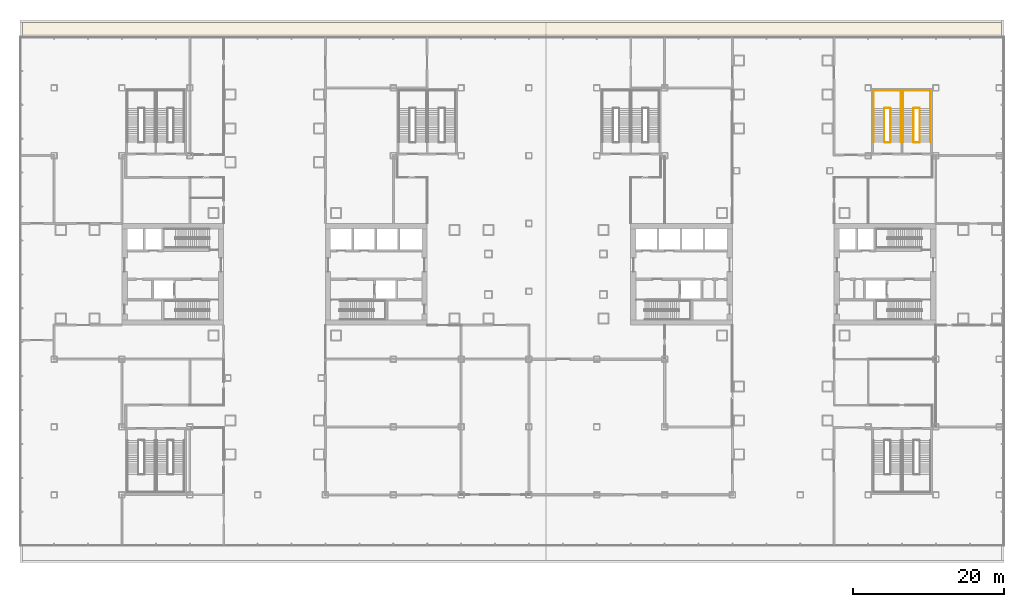
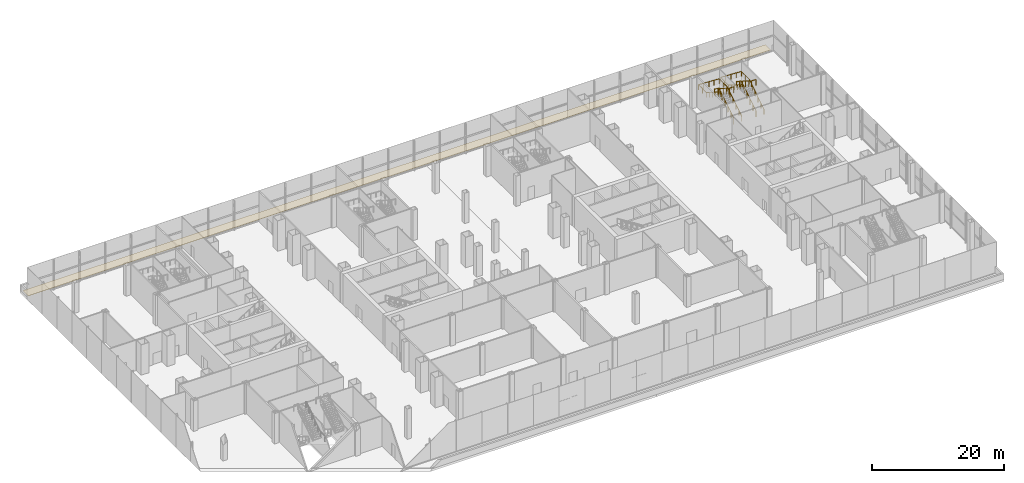
# One storey, part 38 of 38: 4 railings, 1 covering.
"""IFC4 building model written with IfcOpenShell, lengths in metres."""

from ifc_helpers import new_model, si_unit, direction, frame, origin, origin_2d, place, context, subcontext, project, spatial, polyline, circle, outline, extrude, material, layer, layer_set, type_object, element, save


model = new_model("IFC4")

# Units and contexts
model_context = context("Model", 3, precision=1e-05, world=origin(), true_north=direction((0.0, 1.0)))
body_context = subcontext(model_context, "Body", "Model", "MODEL_VIEW")
ifc_project = project(units=[si_unit("LENGTHUNIT", "METRE"), si_unit("AREAUNIT", "SQUARE_METRE"), si_unit("VOLUMEUNIT", "CUBIC_METRE"), si_unit("PLANEANGLEUNIT", "RADIAN"), si_unit("MASSUNIT", "GRAM", prefix="KILO")], contexts=[model_context])

# Site, building, storey
site_placement = place(None, origin())
site = spatial("IfcSite", under=ifc_project, at=site_placement, CompositionType="ELEMENT")
building_placement = place(site_placement, origin())
building = spatial("IfcBuilding", under=site, at=building_placement, Name="Shamsa Quay Exchange Towers", CompositionType="ELEMENT")
storey_placement = place(building_placement, frame((0.0, 0.0, 12.5)))
storey = spatial("IfcBuildingStorey", under=building, at=storey_placement, Name="L02", CompositionType="ELEMENT", Elevation=12.5)

# Covering
ifc_material_1 = material(Name="Bituminous waterproofing membrane with ballast")
ifc_layer = layer(ifc_material_1, 0.06005859375)
ifc_layer_set = layer_set([ifc_layer], Name="ROOF MEMBRANE 60")
covering_type = type_object("IfcCoveringType", Name="ROOF MEMBRANE 60", PredefinedType="ROOFING", material=ifc_layer_set)
covering_placement = place(storey_placement, origin())
element("IfcCovering", 1, at=covering_placement, inside=storey, type_object=covering_type, Name="Roof membrane 2.1", PredefinedType="ROOFING", context=body_context, shape_type="SweptSolid", body=[
    extrude(outline(polyline([(-67.179931640625, 33.429931640625), (62.679931640625, 33.429931640625), (62.679931640625, 31.820068359375), (-67.179931640625, 31.820068359375), (-67.179931640625, 33.429931640625)])), origin(), (0.0, 0.0, 1.0), 0.06005859375),
])

# Railings
ifc_material_2 = material(Name="Stainless steel", Category="steel")
railing_type_1 = type_object("IfcRailingType", Name="STAIR GUARD 1100", PredefinedType="GUARDRAIL", material=ifc_material_2)
railing_1_placement = place(storey_placement, frame((47.97509765625, 17.550048828125, 0.176513671875)))
element("IfcRailing", 2, at=railing_1_placement, inside=storey, type_object=railing_type_1, Name="L02 PS4A stair guard 1", PredefinedType="GUARDRAIL", context=body_context, shape_type="SweptSolid", body=[
    extrude(circle(Radius=0.02392578125, at=origin_2d()), frame((0.0, 0.0, 1.076171875), z_axis=(0.0, 0.845997938375, 0.533186166611), x_axis=(-1.0, 0.0, 0.0)), (0.0, 0.0, 1.0), 5.29541015625),
    extrude(circle(Radius=0.02392578125, at=origin_2d()), frame((0.0, 4.47998046875, 3.8994140625), z_axis=(-0.707106781187, 0.707106781187, 0.0), x_axis=(-0.707106781187, -0.707106781187, 0.0)), (0.0, 0.0, 1.0), 0.07080078125),
    extrude(circle(Radius=0.02392578125, at=origin_2d()), frame((-0.050048828125, 4.530029296875, 3.8994140625), z_axis=(-1.0, 0.0, 0.0), x_axis=(0.0, -1.0, 0.0)), (0.0, 0.0, 1.0), 0.72509765625),
    extrude(circle(Radius=0.02392578125, at=origin_2d()), frame((-0.775146484375, 4.530029296875, 3.8994140625), z_axis=(-0.263171338983, -0.263171338983, 0.928160380902), x_axis=(0.707106781187, -0.707106781187, 0.0)), (0.0, 0.0, 1.0), 0.190185546875),
    extrude(circle(Radius=0.02392578125, at=origin_2d()), frame((-0.8251953125, 4.47998046875, 4.076171875), z_axis=(0.0, -0.845997938375, 0.533186166611), x_axis=(1.0, 0.0, 0.0)), (0.0, 0.0, 1.0), 5.29541015625),
    extrude(circle(Radius=0.02392578125, at=origin_2d()), frame((-0.8251953125, 0.0, 6.8994140625), z_axis=(0.997922050633, -0.064432762324, 0.0), x_axis=(0.064432762324, 0.997922050633, 0.0)), (0.0, 0.0, 1.0), 0.77685546875),
    extrude(circle(Radius=0.02392578125, at=origin_2d()), frame((-0.050048828125, -0.050048828125, 6.8994140625), z_axis=(-1.0, 0.0, 0.0), x_axis=(0.0, -1.0, 0.0)), (0.0, 0.0, 1.0), 0.72509765625),
    extrude(circle(Radius=0.02099609375, at=origin_2d()), origin(), (0.0, 0.0, 1.0), 1.052001953125),
    extrude(circle(Radius=0.02099609375, at=origin_2d()), frame((0.0, 0.89599609375, 0.564697265625)), (0.0, 0.0, 1.0), 1.052001953125),
    extrude(circle(Radius=0.02099609375, at=origin_2d()), frame((0.0, 1.7919921875, 1.12939453125)), (0.0, 0.0, 1.0), 1.052001953125),
    extrude(circle(Radius=0.02099609375, at=origin_2d()), frame((0.0, 2.68798828125, 1.694091796875)), (0.0, 0.0, 1.0), 1.052001953125),
    extrude(circle(Radius=0.02099609375, at=origin_2d()), frame((0.0, 3.583984375, 2.2587890625)), (0.0, 0.0, 1.0), 1.052001953125),
    extrude(circle(Radius=0.02099609375, at=origin_2d()), frame((0.0, 4.47998046875, 2.823486328125)), (0.0, 0.0, 1.0), 1.052001953125),
    extrude(circle(Radius=0.02099609375, at=origin_2d()), frame((-0.050048828125, 4.530029296875, 2.823486328125)), (0.0, 0.0, 1.0), 1.052001953125),
    extrude(circle(Radius=0.02099609375, at=origin_2d()), frame((-0.775146484375, 4.530029296875, 2.823486328125)), (0.0, 0.0, 1.0), 1.052001953125),
    extrude(circle(Radius=0.02099609375, at=origin_2d()), frame((-0.8251953125, 4.47998046875, 3.0)), (0.0, 0.0, 1.0), 1.052001953125),
    extrude(circle(Radius=0.02099609375, at=origin_2d()), frame((-0.8251953125, 3.583984375, 3.564697265625)), (0.0, 0.0, 1.0), 1.052001953125),
    extrude(circle(Radius=0.02099609375, at=origin_2d()), frame((-0.8251953125, 2.68798828125, 4.12939453125)), (0.0, 0.0, 1.0), 1.052001953125),
    extrude(circle(Radius=0.02099609375, at=origin_2d()), frame((-0.8251953125, 1.7919921875, 4.694091796875)), (0.0, 0.0, 1.0), 1.052001953125),
    extrude(circle(Radius=0.02099609375, at=origin_2d()), frame((-0.8251953125, 0.89599609375, 5.2587890625)), (0.0, 0.0, 1.0), 1.052001953125),
    extrude(circle(Radius=0.02099609375, at=origin_2d()), frame((-0.8251953125, 0.0, 5.823486328125)), (0.0, 0.0, 1.0), 1.052001953125),
    extrude(circle(Radius=0.02099609375, at=origin_2d()), frame((-0.050048828125, -0.050048828125, 5.823486328125)), (0.0, 0.0, 1.0), 1.052001953125),
    extrude(circle(Radius=0.02099609375, at=origin_2d()), frame((-0.775146484375, -0.050048828125, 5.823486328125)), (0.0, 0.0, 1.0), 1.052001953125),
])
railing_2_placement = place(storey_placement, frame((51.85009765625, 17.550048828125, 0.176513671875)))
element("IfcRailing", 3, at=railing_2_placement, inside=storey, type_object=railing_type_1, Name="L02 PS4B stair guard 1", PredefinedType="GUARDRAIL", context=body_context, shape_type="SweptSolid", body=[
    extrude(circle(Radius=0.02392578125, at=origin_2d()), frame((0.0, 0.0, 1.076171875), z_axis=(0.0, 0.845997938375, 0.533186166611), x_axis=(-1.0, 0.0, 0.0)), (0.0, 0.0, 1.0), 5.29541015625),
    extrude(circle(Radius=0.02392578125, at=origin_2d()), frame((0.0, 4.47998046875, 3.8994140625), z_axis=(-0.707106781187, 0.707106781187, 0.0), x_axis=(-0.707106781187, -0.707106781187, 0.0)), (0.0, 0.0, 1.0), 0.07080078125),
    extrude(circle(Radius=0.02392578125, at=origin_2d()), frame((-0.050048828125, 4.530029296875, 3.8994140625), z_axis=(-1.0, 0.0, 0.0), x_axis=(0.0, -1.0, 0.0)), (0.0, 0.0, 1.0), 0.72509765625),
    extrude(circle(Radius=0.02392578125, at=origin_2d()), frame((-0.775146484375, 4.530029296875, 3.8994140625), z_axis=(-0.263171338983, -0.263171338983, 0.928160380902), x_axis=(0.707106781187, -0.707106781187, 0.0)), (0.0, 0.0, 1.0), 0.190185546875),
    extrude(circle(Radius=0.02392578125, at=origin_2d()), frame((-0.8251953125, 4.47998046875, 4.076171875), z_axis=(0.0, -0.845997938375, 0.533186166611), x_axis=(1.0, 0.0, 0.0)), (0.0, 0.0, 1.0), 5.29541015625),
    extrude(circle(Radius=0.02392578125, at=origin_2d()), frame((-0.8251953125, 0.0, 6.8994140625), z_axis=(0.997922050633, -0.064432762324, 0.0), x_axis=(0.064432762324, 0.997922050633, 0.0)), (0.0, 0.0, 1.0), 0.77685546875),
    extrude(circle(Radius=0.02392578125, at=origin_2d()), frame((-0.050048828125, -0.050048828125, 6.8994140625), z_axis=(-1.0, 0.0, 0.0), x_axis=(0.0, -1.0, 0.0)), (0.0, 0.0, 1.0), 0.72509765625),
    extrude(circle(Radius=0.02099609375, at=origin_2d()), origin(), (0.0, 0.0, 1.0), 1.052001953125),
    extrude(circle(Radius=0.02099609375, at=origin_2d()), frame((0.0, 0.89599609375, 0.564697265625)), (0.0, 0.0, 1.0), 1.052001953125),
    extrude(circle(Radius=0.02099609375, at=origin_2d()), frame((0.0, 1.7919921875, 1.12939453125)), (0.0, 0.0, 1.0), 1.052001953125),
    extrude(circle(Radius=0.02099609375, at=origin_2d()), frame((0.0, 2.68798828125, 1.694091796875)), (0.0, 0.0, 1.0), 1.052001953125),
    extrude(circle(Radius=0.02099609375, at=origin_2d()), frame((0.0, 3.583984375, 2.2587890625)), (0.0, 0.0, 1.0), 1.052001953125),
    extrude(circle(Radius=0.02099609375, at=origin_2d()), frame((0.0, 4.47998046875, 2.823486328125)), (0.0, 0.0, 1.0), 1.052001953125),
    extrude(circle(Radius=0.02099609375, at=origin_2d()), frame((-0.050048828125, 4.530029296875, 2.823486328125)), (0.0, 0.0, 1.0), 1.052001953125),
    extrude(circle(Radius=0.02099609375, at=origin_2d()), frame((-0.775146484375, 4.530029296875, 2.823486328125)), (0.0, 0.0, 1.0), 1.052001953125),
    extrude(circle(Radius=0.02099609375, at=origin_2d()), frame((-0.8251953125, 4.47998046875, 3.0)), (0.0, 0.0, 1.0), 1.052001953125),
    extrude(circle(Radius=0.02099609375, at=origin_2d()), frame((-0.8251953125, 3.583984375, 3.564697265625)), (0.0, 0.0, 1.0), 1.052001953125),
    extrude(circle(Radius=0.02099609375, at=origin_2d()), frame((-0.8251953125, 2.68798828125, 4.12939453125)), (0.0, 0.0, 1.0), 1.052001953125),
    extrude(circle(Radius=0.02099609375, at=origin_2d()), frame((-0.8251953125, 1.7919921875, 4.694091796875)), (0.0, 0.0, 1.0), 1.052001953125),
    extrude(circle(Radius=0.02099609375, at=origin_2d()), frame((-0.8251953125, 0.89599609375, 5.2587890625)), (0.0, 0.0, 1.0), 1.052001953125),
    extrude(circle(Radius=0.02099609375, at=origin_2d()), frame((-0.8251953125, 0.0, 5.823486328125)), (0.0, 0.0, 1.0), 1.052001953125),
    extrude(circle(Radius=0.02099609375, at=origin_2d()), frame((-0.050048828125, -0.050048828125, 5.823486328125)), (0.0, 0.0, 1.0), 1.052001953125),
    extrude(circle(Radius=0.02099609375, at=origin_2d()), frame((-0.775146484375, -0.050048828125, 5.823486328125)), (0.0, 0.0, 1.0), 1.052001953125),
])
railing_type_2 = type_object("IfcRailingType", Name="STAIR HANDRAIL 900", PredefinedType="HANDRAIL", material=ifc_material_2)
railing_3_placement = place(storey_placement, frame((49.375, 17.550048828125, 0.176513671875)))
element("IfcRailing", 4, at=railing_3_placement, inside=storey, type_object=railing_type_2, Name="L02 PS4A stair handrail 1", PredefinedType="HANDRAIL", context=body_context, shape_type="SweptSolid", body=[
    extrude(circle(Radius=0.02392578125, at=origin_2d()), frame((0.0, 0.0, 0.8759765625), z_axis=(0.0, 0.845997938375, 0.533186166611), x_axis=(-1.0, 0.0, 0.0)), (0.0, 0.0, 1.0), 5.29541015625),
    extrude(circle(Radius=0.02392578125, at=origin_2d()), frame((0.0, 4.47998046875, 3.69921875), z_axis=(0.0, 1.0, 0.0), x_axis=(-1.0, 0.0, 0.0)), (0.0, 0.0, 1.0), 2.369873046875),
    extrude(circle(Radius=0.02392578125, at=origin_2d()), frame((0.0, 6.849853515625, 3.69921875), z_axis=(-0.998816579144, 0.0, 0.048635801907), x_axis=(0.0, -1.0, 0.0)), (0.0, 0.0, 1.0), 3.62939453125),
    extrude(circle(Radius=0.02392578125, at=origin_2d()), frame((-3.625, 6.849853515625, 3.8759765625), z_axis=(0.0, -1.0, 0.0), x_axis=(1.0, 0.0, 0.0)), (0.0, 0.0, 1.0), 2.369873046875),
    extrude(circle(Radius=0.02392578125, at=origin_2d()), frame((-3.625, 4.47998046875, 3.8759765625), z_axis=(0.0, -0.845997938375, 0.533186166611), x_axis=(1.0, 0.0, 0.0)), (0.0, 0.0, 1.0), 5.29541015625),
    extrude(circle(Radius=0.02099609375, at=origin_2d()), origin(), (0.0, 0.0, 1.0), 0.851806640625),
    extrude(circle(Radius=0.02099609375, at=origin_2d()), frame((0.0, 0.89599609375, 0.564697265625)), (0.0, 0.0, 1.0), 0.851806640625),
    extrude(circle(Radius=0.02099609375, at=origin_2d()), frame((0.0, 1.7919921875, 1.12939453125)), (0.0, 0.0, 1.0), 0.851806640625),
    extrude(circle(Radius=0.02099609375, at=origin_2d()), frame((0.0, 2.68798828125, 1.694091796875)), (0.0, 0.0, 1.0), 0.851806640625),
    extrude(circle(Radius=0.02099609375, at=origin_2d()), frame((0.0, 3.583984375, 2.2587890625)), (0.0, 0.0, 1.0), 0.851806640625),
    extrude(circle(Radius=0.02099609375, at=origin_2d()), frame((0.0, 4.47998046875, 2.823486328125)), (0.0, 0.0, 1.0), 0.851806640625),
    extrude(circle(Radius=0.02099609375, at=origin_2d()), frame((0.0, 5.6650390625, 2.823486328125)), (0.0, 0.0, 1.0), 0.851806640625),
    extrude(circle(Radius=0.02099609375, at=origin_2d()), frame((0.0, 6.849853515625, 2.823486328125)), (0.0, 0.0, 1.0), 0.851806640625),
    extrude(circle(Radius=0.02099609375, at=origin_2d()), frame((-0.90625, 6.849853515625, 2.86767578125)), (0.0, 0.0, 1.0), 0.851806640625),
    extrude(circle(Radius=0.02099609375, at=origin_2d()), frame((-1.8125, 6.849853515625, 2.91162109375)), (0.0, 0.0, 1.0), 0.851806640625),
    extrude(circle(Radius=0.02099609375, at=origin_2d()), frame((-2.71875, 6.849853515625, 2.955810546875)), (0.0, 0.0, 1.0), 0.851806640625),
    extrude(circle(Radius=0.02099609375, at=origin_2d()), frame((-3.625, 6.849853515625, 3.0)), (0.0, 0.0, 1.0), 0.851806640625),
    extrude(circle(Radius=0.02099609375, at=origin_2d()), frame((-3.625, 5.6650390625, 3.0)), (0.0, 0.0, 1.0), 0.851806640625),
    extrude(circle(Radius=0.02099609375, at=origin_2d()), frame((-3.625, 4.47998046875, 3.0)), (0.0, 0.0, 1.0), 0.851806640625),
    extrude(circle(Radius=0.02099609375, at=origin_2d()), frame((-3.625, 3.583984375, 3.564697265625)), (0.0, 0.0, 1.0), 0.851806640625),
    extrude(circle(Radius=0.02099609375, at=origin_2d()), frame((-3.625, 2.68798828125, 4.12939453125)), (0.0, 0.0, 1.0), 0.851806640625),
    extrude(circle(Radius=0.02099609375, at=origin_2d()), frame((-3.625, 1.7919921875, 4.694091796875)), (0.0, 0.0, 1.0), 0.851806640625),
    extrude(circle(Radius=0.02099609375, at=origin_2d()), frame((-3.625, 0.89599609375, 5.2587890625)), (0.0, 0.0, 1.0), 0.851806640625),
    extrude(circle(Radius=0.02099609375, at=origin_2d()), frame((-3.625, 0.0, 5.823486328125)), (0.0, 0.0, 1.0), 0.851806640625),
])
railing_4_placement = place(storey_placement, frame((53.25, 17.550048828125, 0.176513671875)))
element("IfcRailing", 5, at=railing_4_placement, inside=storey, type_object=railing_type_2, Name="L02 PS4B stair handrail 1", PredefinedType="HANDRAIL", context=body_context, shape_type="SweptSolid", body=[
    extrude(circle(Radius=0.02392578125, at=origin_2d()), frame((0.0, 0.0, 0.8759765625), z_axis=(0.0, 0.845997938375, 0.533186166611), x_axis=(-1.0, 0.0, 0.0)), (0.0, 0.0, 1.0), 5.29541015625),
    extrude(circle(Radius=0.02392578125, at=origin_2d()), frame((0.0, 4.47998046875, 3.69921875), z_axis=(0.0, 1.0, 0.0), x_axis=(-1.0, 0.0, 0.0)), (0.0, 0.0, 1.0), 2.369873046875),
    extrude(circle(Radius=0.02392578125, at=origin_2d()), frame((0.0, 6.849853515625, 3.69921875), z_axis=(-0.998816579144, 0.0, 0.048635801907), x_axis=(0.0, -1.0, 0.0)), (0.0, 0.0, 1.0), 3.62939453125),
    extrude(circle(Radius=0.02392578125, at=origin_2d()), frame((-3.625, 6.849853515625, 3.8759765625), z_axis=(0.0, -1.0, 0.0), x_axis=(1.0, 0.0, 0.0)), (0.0, 0.0, 1.0), 2.369873046875),
    extrude(circle(Radius=0.02392578125, at=origin_2d()), frame((-3.625, 4.47998046875, 3.8759765625), z_axis=(0.0, -0.845997938375, 0.533186166611), x_axis=(1.0, 0.0, 0.0)), (0.0, 0.0, 1.0), 5.29541015625),
    extrude(circle(Radius=0.02099609375, at=origin_2d()), origin(), (0.0, 0.0, 1.0), 0.851806640625),
    extrude(circle(Radius=0.02099609375, at=origin_2d()), frame((0.0, 0.89599609375, 0.564697265625)), (0.0, 0.0, 1.0), 0.851806640625),
    extrude(circle(Radius=0.02099609375, at=origin_2d()), frame((0.0, 1.7919921875, 1.12939453125)), (0.0, 0.0, 1.0), 0.851806640625),
    extrude(circle(Radius=0.02099609375, at=origin_2d()), frame((0.0, 2.68798828125, 1.694091796875)), (0.0, 0.0, 1.0), 0.851806640625),
    extrude(circle(Radius=0.02099609375, at=origin_2d()), frame((0.0, 3.583984375, 2.2587890625)), (0.0, 0.0, 1.0), 0.851806640625),
    extrude(circle(Radius=0.02099609375, at=origin_2d()), frame((0.0, 4.47998046875, 2.823486328125)), (0.0, 0.0, 1.0), 0.851806640625),
    extrude(circle(Radius=0.02099609375, at=origin_2d()), frame((0.0, 5.6650390625, 2.823486328125)), (0.0, 0.0, 1.0), 0.851806640625),
    extrude(circle(Radius=0.02099609375, at=origin_2d()), frame((0.0, 6.849853515625, 2.823486328125)), (0.0, 0.0, 1.0), 0.851806640625),
    extrude(circle(Radius=0.02099609375, at=origin_2d()), frame((-0.90625, 6.849853515625, 2.86767578125)), (0.0, 0.0, 1.0), 0.851806640625),
    extrude(circle(Radius=0.02099609375, at=origin_2d()), frame((-1.8125, 6.849853515625, 2.91162109375)), (0.0, 0.0, 1.0), 0.851806640625),
    extrude(circle(Radius=0.02099609375, at=origin_2d()), frame((-2.71875, 6.849853515625, 2.955810546875)), (0.0, 0.0, 1.0), 0.851806640625),
    extrude(circle(Radius=0.02099609375, at=origin_2d()), frame((-3.625, 6.849853515625, 3.0)), (0.0, 0.0, 1.0), 0.851806640625),
    extrude(circle(Radius=0.02099609375, at=origin_2d()), frame((-3.625, 5.6650390625, 3.0)), (0.0, 0.0, 1.0), 0.851806640625),
    extrude(circle(Radius=0.02099609375, at=origin_2d()), frame((-3.625, 4.47998046875, 3.0)), (0.0, 0.0, 1.0), 0.851806640625),
    extrude(circle(Radius=0.02099609375, at=origin_2d()), frame((-3.625, 3.583984375, 3.564697265625)), (0.0, 0.0, 1.0), 0.851806640625),
    extrude(circle(Radius=0.02099609375, at=origin_2d()), frame((-3.625, 2.68798828125, 4.12939453125)), (0.0, 0.0, 1.0), 0.851806640625),
    extrude(circle(Radius=0.02099609375, at=origin_2d()), frame((-3.625, 1.7919921875, 4.694091796875)), (0.0, 0.0, 1.0), 0.851806640625),
    extrude(circle(Radius=0.02099609375, at=origin_2d()), frame((-3.625, 0.89599609375, 5.2587890625)), (0.0, 0.0, 1.0), 0.851806640625),
    extrude(circle(Radius=0.02099609375, at=origin_2d()), frame((-3.625, 0.0, 5.823486328125)), (0.0, 0.0, 1.0), 0.851806640625),
])

save(model, "model.ifc")
